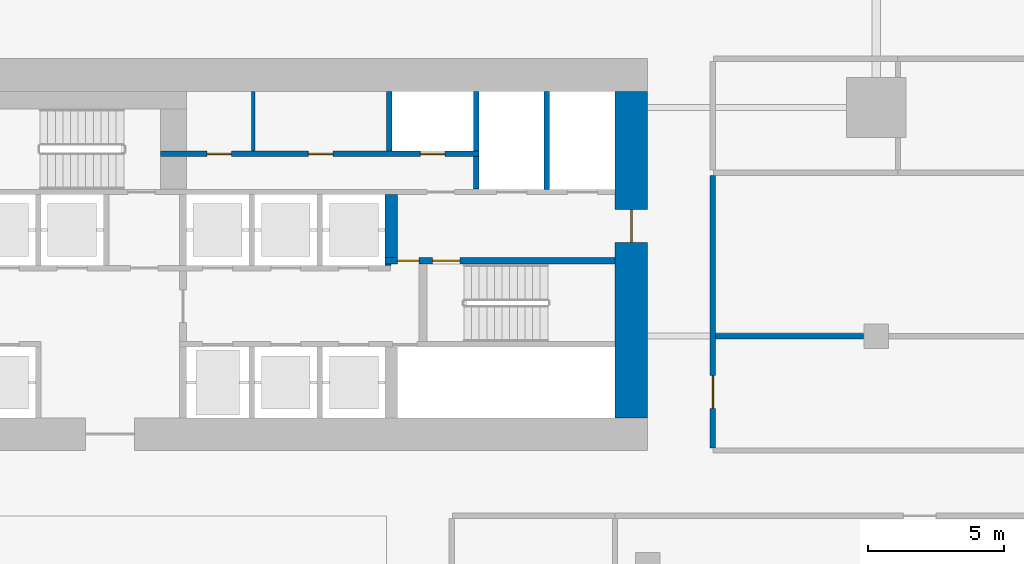
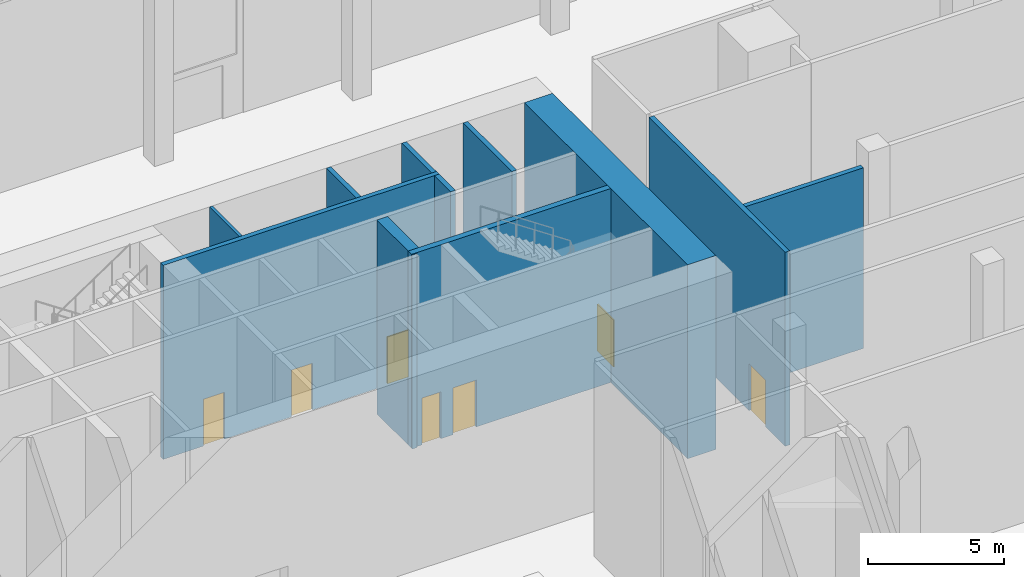
# One storey, part 26 of 43: 12 walls, 7 doors, 7 openings.
"""IFC4 building model written with IfcOpenShell, lengths in metres."""

from ifc_helpers import new_model, si_unit, direction, frame, frame_2d, origin, place, context, subcontext, project, spatial, rectangle, extrude, material, layer, layer_set, type_object, element, fill, save


model = new_model("IFC4")

# Units and contexts
model_context = context("Model", 3, precision=1e-05, world=origin(), true_north=direction((0.0, 1.0)))
body_context = subcontext(model_context, "Body", "Model", "MODEL_VIEW")
ifc_project = project(units=[si_unit("LENGTHUNIT", "METRE"), si_unit("AREAUNIT", "SQUARE_METRE"), si_unit("VOLUMEUNIT", "CUBIC_METRE"), si_unit("PLANEANGLEUNIT", "RADIAN"), si_unit("MASSUNIT", "GRAM", prefix="KILO")], contexts=[model_context])

# Site, building, storey
site_placement = place(None, origin())
site = spatial("IfcSite", under=ifc_project, at=site_placement, CompositionType="ELEMENT")
building_placement = place(site_placement, origin())
building = spatial("IfcBuilding", under=site, at=building_placement, Name="Saffron Gate Tower", CompositionType="ELEMENT")
storey_placement = place(building_placement, origin())
storey = spatial("IfcBuildingStorey", under=building, at=storey_placement, Name="L00", CompositionType="ELEMENT", Elevation=0.0)

# Wall, opening, door
ifc_material_1 = material(Name="Concrete C70", Category="concrete")
ifc_layer_1 = layer(ifc_material_1, 1.199951171875)
ifc_layer_set_1 = layer_set([ifc_layer_1], Name="CW1 RC core wall 1200 C70")
wall_type_1 = type_object("IfcWallType", Name="CW1 RC core wall 1200 C70", PredefinedType="SOLIDWALL", material=ifc_layer_set_1)
wall_1_placement = place(storey_placement, frame((108.0, 62.39990234375, 0.0), z_axis=(0.0, 0.0, 1.0), x_axis=(0.0, 1.0, 0.0)))
wall_1 = element("IfcWall", 1, at=wall_1_placement, inside=storey, type_object=wall_type_1, Name="Wall CW1-L00-4", PredefinedType="SOLIDWALL", context=body_context, shape_type="SweptSolid", body=[
    extrude(rectangle(XDim=12.0, YDim=1.199951171875, at=frame_2d((6.0, 0.0))), origin(), (0.0, 0.0, 1.0), 8.699951171875),
])
opening_1_placement = place(wall_1_placement, frame((6.449951171875, 0.0, 0.0)))
opening_1 = element("IfcOpeningElement", 2, at=opening_1_placement, cuts=wall_1, Name="Opening CR-08", PredefinedType="OPENING", context=body_context, shape_type="SweptSolid", body=[
    extrude(rectangle(XDim=1.199951171875, YDim=2.10009765625, at=frame_2d((0.60009765625, 1.050048828125))), frame((0.0, 0.60986328125, 0.0), z_axis=(0.0, -1.0, 0.0), x_axis=(1.0, 0.0, 0.0)), (0.0, 0.0, 1.0), 1.219970703125),
])
ifc_material_2 = material(Name="Steel fire door set", Category="steel")
door_type_1 = type_object("IfcDoorType", Name="CD7 Core entrance door 1200x2100 EI 120", OperationType="NOTDEFINED", PredefinedType="DOOR", material=ifc_material_2)
door_1_placement = place(opening_1_placement, origin())
door_1 = element("IfcDoor", 3, at=door_1_placement, inside=storey, type_object=door_type_1, Name="DOOR CR-08", OperationType="SINGLE_SWING_RIGHT", OverallHeight=2.10009765625, OverallWidth=1.199951171875, PredefinedType="DOOR", context=body_context, shape_type="SweptSolid", body=[
    extrude(rectangle(XDim=1.199951171875, YDim=2.10009765625, at=frame_2d((0.60009765625, 1.050048828125))), frame((0.0, 0.02490234375, 0.0), z_axis=(0.0, -1.0, 0.0), x_axis=(1.0, 0.0, 0.0)), (0.0, 0.0, 1.0), 0.050048828125),
])
fill(opening_1, door_1)

# Wall, openings, doors
ifc_layer_2 = layer(ifc_material_1, 0.25)
ifc_layer_set_2 = layer_set([ifc_layer_2], Name="CW2 RC core wall 250 C70")
wall_type_2 = type_object("IfcWallType", Name="CW2 RC core wall 250 C70", PredefinedType="SOLIDWALL", material=ifc_layer_set_2)
wall_2_placement = place(storey_placement, frame((98.949951171875, 68.175048828125, 0.0), z_axis=(0.0, 0.0, 1.0), x_axis=(1.0, 0.0, 0.0)))
wall_2 = element("IfcWall", 4, at=wall_2_placement, inside=storey, type_object=wall_type_2, Name="Wall CW2-L00-31", PredefinedType="SOLIDWALL", context=body_context, shape_type="SweptSolid", body=[
    extrude(rectangle(XDim=8.449951171875, YDim=0.25, at=frame_2d((4.22509765625, 0.0))), origin(), (0.0, 0.0, 1.0), 8.699951171875),
])
opening_2_placement = place(wall_2_placement, frame((0.449951171875, 0.0, 0.0)))
opening_2 = element("IfcOpeningElement", 5, at=opening_2_placement, cuts=wall_2, Name="Opening CR-05", PredefinedType="OPENING", context=body_context, shape_type="SweptSolid", body=[
    extrude(rectangle(XDim=0.800048828125, YDim=2.10009765625, at=frame_2d((0.39990234375, 1.050048828125))), frame((0.0, 0.135009765625, 0.0), z_axis=(0.0, -1.0, 0.0), x_axis=(1.0, 0.0, 0.0)), (0.0, 0.0, 1.0), 0.27001953125),
])
opening_3_placement = place(wall_2_placement, frame((1.75, 0.0, 0.0)))
opening_3 = element("IfcOpeningElement", 6, at=opening_3_placement, cuts=wall_2, Name="Opening CR-16", PredefinedType="OPENING", context=body_context, shape_type="SweptSolid", body=[
    extrude(rectangle(XDim=1.0, YDim=2.10009765625, at=frame_2d((0.5, 1.050048828125))), frame((0.0, 0.135009765625, 0.0), z_axis=(0.0, -1.0, 0.0), x_axis=(1.0, 0.0, 0.0)), (0.0, 0.0, 1.0), 0.27001953125),
])
door_type_2 = type_object("IfcDoorType", Name="CD5 Stair door 1000x2100 EI 120", OperationType="NOTDEFINED", PredefinedType="DOOR", material=ifc_material_2)
door_2_placement = place(opening_3_placement, origin())
door_2 = element("IfcDoor", 7, at=door_2_placement, inside=storey, type_object=door_type_2, Name="DOOR CR-16", OperationType="SINGLE_SWING_RIGHT", OverallHeight=2.10009765625, OverallWidth=1.0, PredefinedType="DOOR", context=body_context, shape_type="SweptSolid", body=[
    extrude(rectangle(XDim=1.0, YDim=2.10009765625, at=frame_2d((0.5, 1.050048828125))), frame((0.0, 0.02490234375, 0.0), z_axis=(0.0, -1.0, 0.0), x_axis=(1.0, 0.0, 0.0)), (0.0, 0.0, 1.0), 0.050048828125),
])
fill(opening_3, door_2)
door_type_3 = type_object("IfcDoorType", Name="CD6 Lobby door 800x2100 EI 120", OperationType="NOTDEFINED", PredefinedType="DOOR", material=ifc_material_2)
door_3_placement = place(opening_2_placement, origin())
door_3 = element("IfcDoor", 8, at=door_3_placement, inside=storey, type_object=door_type_3, Name="DOOR CR-05", OperationType="SINGLE_SWING_LEFT", OverallHeight=2.10009765625, OverallWidth=0.800048828125, PredefinedType="DOOR", context=body_context, shape_type="SweptSolid", body=[
    extrude(rectangle(XDim=0.800048828125, YDim=2.10009765625, at=frame_2d((0.39990234375, 1.050048828125))), frame((0.0, 0.02490234375, 0.0), z_axis=(0.0, -1.0, 0.0), x_axis=(1.0, 0.0, 0.0)), (0.0, 0.0, 1.0), 0.050048828125),
])
fill(opening_2, door_3)

# Walls
ifc_layer_3 = layer(ifc_material_1, 0.199951171875)
ifc_layer_set_3 = layer_set([ifc_layer_3], Name="CW3 RC core wall 200 C70")
wall_type_3 = type_object("IfcWallType", Name="CW3 RC core wall 200 C70", PredefinedType="SOLIDWALL", material=ifc_layer_set_3)
wall_3_placement = place(storey_placement, frame((102.300048828125, 70.800048828125, 0.0), z_axis=(0.0, 0.0, 1.0), x_axis=(0.0, 1.0, 0.0)))
element("IfcWall", 9, at=wall_3_placement, inside=storey, type_object=wall_type_3, Name="Wall CW3-L00-39", PredefinedType="SOLIDWALL", context=body_context, shape_type="SweptSolid", body=[
    extrude(rectangle(XDim=1.199951171875, YDim=0.199951171875, at=frame_2d((0.60009765625, 0.0))), origin(), (0.0, 0.0, 1.0), 8.699951171875),
])
wall_4_placement = place(storey_placement, frame((104.89990234375, 70.800048828125, 0.0), z_axis=(0.0, 0.0, 1.0), x_axis=(0.0, 1.0, 0.0)))
element("IfcWall", 10, at=wall_4_placement, inside=storey, type_object=wall_type_3, Name="Wall CW3-L00-40", PredefinedType="SOLIDWALL", context=body_context, shape_type="SweptSolid", body=[
    extrude(rectangle(XDim=3.599853515625, YDim=0.199951171875, at=frame_2d((1.7998046875, 0.0))), origin(), (0.0, 0.0, 1.0), 8.699951171875),
])

# Wall, openings, doors
wall_5_placement = place(storey_placement, frame((90.699951171875, 72.10009765625, 0.0), z_axis=(0.0, 0.0, 1.0), x_axis=(1.0, 0.0, 0.0)))
wall_5 = element("IfcWall", 11, at=wall_5_placement, inside=storey, type_object=wall_type_3, Name="Wall CW3-L00-42", PredefinedType="SOLIDWALL", context=body_context, shape_type="SweptSolid", body=[
    extrude(rectangle(XDim=11.699951171875, YDim=0.199951171875, at=frame_2d((5.85009765625, 0.0))), origin(), (0.0, 0.0, 1.0), 8.699951171875),
])
opening_4_placement = place(wall_5_placement, frame((1.699951171875, 0.0, 0.0)))
opening_4 = element("IfcOpeningElement", 12, at=opening_4_placement, cuts=wall_5, Name="Opening CR-50", PredefinedType="OPENING", context=body_context, shape_type="SweptSolid", body=[
    extrude(rectangle(XDim=0.89990234375, YDim=2.10009765625, at=frame_2d((0.449951171875, 1.050048828125))), frame((0.0, 0.10986328125, 0.0), z_axis=(0.0, -1.0, 0.0), x_axis=(1.0, 0.0, 0.0)), (0.0, 0.0, 1.0), 0.219970703125),
])
opening_5_placement = place(wall_5_placement, frame((5.43505859375, 0.0, 0.0)))
opening_5 = element("IfcOpeningElement", 13, at=opening_5_placement, cuts=wall_5, Name="Opening CR-53", PredefinedType="OPENING", context=body_context, shape_type="SweptSolid", body=[
    extrude(rectangle(XDim=0.89990234375, YDim=2.10009765625, at=frame_2d((0.449951171875, 1.050048828125))), frame((0.0, 0.10986328125, 0.0), z_axis=(0.0, -1.0, 0.0), x_axis=(1.0, 0.0, 0.0)), (0.0, 0.0, 1.0), 0.219970703125),
])
opening_6_placement = place(wall_5_placement, frame((9.550048828125, 0.0, 0.0)))
opening_6 = element("IfcOpeningElement", 14, at=opening_6_placement, cuts=wall_5, Name="Opening CR-70", PredefinedType="OPENING", context=body_context, shape_type="SweptSolid", body=[
    extrude(rectangle(XDim=0.89990234375, YDim=2.10009765625, at=frame_2d((0.449951171875, 1.050048828125))), frame((0.0, 0.10986328125, 0.0), z_axis=(0.0, -1.0, 0.0), x_axis=(1.0, 0.0, 0.0)), (0.0, 0.0, 1.0), 0.219970703125),
])
door_type_4 = type_object("IfcDoorType", Name="CD2 Riser door 900x2100 EI 60", OperationType="NOTDEFINED", PredefinedType="DOOR", material=ifc_material_2)
door_4_placement = place(opening_6_placement, origin())
door_4 = element("IfcDoor", 15, at=door_4_placement, inside=storey, type_object=door_type_4, Name="DOOR CR-70", OperationType="SINGLE_SWING_LEFT", OverallHeight=2.10009765625, OverallWidth=0.89990234375, PredefinedType="DOOR", context=body_context, shape_type="SweptSolid", body=[
    extrude(rectangle(XDim=0.89990234375, YDim=2.10009765625, at=frame_2d((0.449951171875, 1.050048828125))), frame((0.0, 0.02490234375, 0.0), z_axis=(0.0, -1.0, 0.0), x_axis=(1.0, 0.0, 0.0)), (0.0, 0.0, 1.0), 0.050048828125),
])
fill(opening_6, door_4)
door_type_5 = type_object("IfcDoorType", Name="CD9 Room door 900x2100 EI 60", OperationType="NOTDEFINED", PredefinedType="DOOR", material=ifc_material_2)
door_5_placement = place(opening_4_placement, origin())
door_5 = element("IfcDoor", 16, at=door_5_placement, inside=storey, type_object=door_type_5, Name="DOOR CR-50", OperationType="SINGLE_SWING_LEFT", OverallHeight=2.10009765625, OverallWidth=0.89990234375, PredefinedType="DOOR", context=body_context, shape_type="SweptSolid", body=[
    extrude(rectangle(XDim=0.89990234375, YDim=2.10009765625, at=frame_2d((0.449951171875, 1.050048828125))), frame((0.0, 0.02490234375, 0.0), z_axis=(0.0, -1.0, 0.0), x_axis=(1.0, 0.0, 0.0)), (0.0, 0.0, 1.0), 0.050048828125),
])
fill(opening_4, door_5)
door_6_placement = place(opening_5_placement, origin())
door_6 = element("IfcDoor", 17, at=door_6_placement, inside=storey, type_object=door_type_5, Name="DOOR CR-53", OperationType="SINGLE_SWING_LEFT", OverallHeight=2.10009765625, OverallWidth=0.89990234375, PredefinedType="DOOR", context=body_context, shape_type="SweptSolid", body=[
    extrude(rectangle(XDim=0.89990234375, YDim=2.10009765625, at=frame_2d((0.449951171875, 1.050048828125))), frame((0.0, 0.02490234375, 0.0), z_axis=(0.0, -1.0, 0.0), x_axis=(1.0, 0.0, 0.0)), (0.0, 0.0, 1.0), 0.050048828125),
])
fill(opening_5, door_6)

# Walls
for number, where, z_axis, x_axis, name in (
    (18, (99.10009765625, 72.199951171875, 0.0), (0.0, 0.0, 1.0), (0.0, 1.0, 0.0), "Wall CW3-L00-49"),
    (19, (102.300048828125, 72.199951171875, 0.0), (0.0, 0.0, 1.0), (0.0, 1.0, 0.0), "Wall CW3-L00-50"),
):
    element("IfcWall", number, at=place(storey_placement, frame(where, z_axis=z_axis, x_axis=x_axis)), inside=storey, type_object=wall_type_3, Name=name, PredefinedType="SOLIDWALL", context=body_context, shape_type="SweptSolid", body=[
        extrude(rectangle(XDim=2.199951171875, YDim=0.199951171875, at=frame_2d((1.10009765625, 0.0))), origin(), (0.0, 0.0, 1.0), 8.699951171875),
    ])
ifc_layer_4 = layer(ifc_material_1, 0.449951171875)
ifc_layer_set_4 = layer_set([ifc_layer_4], Name="CW4 RC core wall 450 C70")
wall_type_4 = type_object("IfcWallType", Name="CW4 RC core wall 450 C70", PredefinedType="SOLIDWALL", material=ifc_layer_set_4)
wall_6_placement = place(storey_placement, frame((99.175048828125, 68.300048828125, 0.0), z_axis=(0.0, 0.0, 1.0), x_axis=(0.0, 1.0, 0.0)))
element("IfcWall", 20, at=wall_6_placement, inside=storey, type_object=wall_type_4, Name="Wall CW4-L00-33", PredefinedType="SOLIDWALL", context=body_context, shape_type="SweptSolid", body=[
    extrude(rectangle(XDim=2.300048828125, YDim=0.449951171875, at=frame_2d((1.14990234375, 0.0))), origin(), (0.0, 0.0, 1.0), 8.699951171875),
])
ifc_layer_5 = layer(ifc_material_1, 0.050048828125)
ifc_layer_set_5 = layer_set([ifc_layer_5], Name="CW6 RC core wall 50 C70")
wall_type_5 = type_object("IfcWallType", Name="CW6 RC core wall 50 C70", PredefinedType="SOLIDWALL", material=ifc_layer_set_5)
wall_7_placement = place(storey_placement, frame((98.949951171875, 68.02490234375, 0.0), z_axis=(0.0, 0.0, 1.0), x_axis=(1.0, 0.0, 0.0)))
element("IfcWall", 21, at=wall_7_placement, inside=storey, type_object=wall_type_5, Name="Wall CW6-L00-29", PredefinedType="SOLIDWALL", context=body_context, shape_type="SweptSolid", body=[
    extrude(rectangle(XDim=0.199951171875, YDim=0.050048828125, at=frame_2d((0.10009765625, 0.0))), origin(), (0.0, 0.0, 1.0), 8.699951171875),
])
ifc_material_3 = material(Name="Gypsum board partition on steel studs", Category="steel")
ifc_layer_6 = layer(ifc_material_3, 0.1201171875)
ifc_layer_set_6 = layer_set([ifc_layer_6], Name="CW8 Core partition 120")
wall_type_6 = type_object("IfcWallType", Name="CW8 Core partition 120", PredefinedType="PARTITIONING", material=ifc_layer_set_6)
wall_8_placement = place(storey_placement, frame((94.110107421875, 72.199951171875, 0.0), z_axis=(0.0, 0.0, 1.0), x_axis=(0.0, 1.0, 0.0)))
element("IfcWall", 22, at=wall_8_placement, inside=storey, type_object=wall_type_6, Name="Wall CW8-L00-48", PredefinedType="PARTITIONING", context=body_context, shape_type="SweptSolid", body=[
    extrude(rectangle(XDim=2.199951171875, YDim=0.1201171875, at=frame_2d((1.10009765625, 0.0))), origin(), (0.0, 0.0, 1.0), 8.699951171875),
])

# Wall, opening, door
ifc_material_4 = material(Name="Clay brick masonry, rendered", Category="masonry")
ifc_layer_7 = layer(ifc_material_4, 0.199951171875)
ifc_layer_set_7 = layer_set([ifc_layer_7], Name="PW3 Corridor wall 200")
wall_type_7 = type_object("IfcWallType", Name="PW3 Corridor wall 200", PredefinedType="PARTITIONING", material=ifc_layer_set_7)
wall_9_placement = place(storey_placement, frame((111.0, 71.300048828125, 0.0), z_axis=(0.0, 0.0, 1.0), x_axis=(0.0, -1.0, 0.0)))
wall_9 = element("IfcWall", 23, at=wall_9_placement, inside=storey, type_object=wall_type_7, Name="Wall P0-53", PredefinedType="PARTITIONING", context=body_context, shape_type="SweptSolid", body=[
    extrude(rectangle(XDim=10.0, YDim=0.199951171875, at=frame_2d((5.0, 0.0))), origin(), (0.0, 0.0, 1.0), 8.699951171875),
])
opening_7_placement = place(wall_9_placement, frame((7.35009765625, 0.0, 0.0)))
opening_7 = element("IfcOpeningElement", 24, at=opening_7_placement, cuts=wall_9, Name="Opening P0-13", PredefinedType="OPENING", context=body_context, shape_type="SweptSolid", body=[
    extrude(rectangle(XDim=1.199951171875, YDim=2.10009765625, at=frame_2d((0.60009765625, 1.050048828125))), frame((0.0, 0.10986328125, 0.0), z_axis=(0.0, -1.0, 0.0), x_axis=(1.0, 0.0, 0.0)), (0.0, 0.0, 1.0), 0.219970703125),
])
ifc_material_5 = material(Name="Timber door set", Category="wood")
door_type_6 = type_object("IfcDoorType", Name="HD1 Hall door 1200x2100", OperationType="NOTDEFINED", PredefinedType="DOOR", material=ifc_material_5)
door_7_placement = place(opening_7_placement, origin())
door_7 = element("IfcDoor", 25, at=door_7_placement, inside=storey, type_object=door_type_6, Name="Door P0-13", OperationType="SINGLE_SWING_LEFT", OverallHeight=2.10009765625, OverallWidth=1.199951171875, PredefinedType="DOOR", context=body_context, shape_type="SweptSolid", body=[
    extrude(rectangle(XDim=1.199951171875, YDim=2.10009765625, at=frame_2d((0.60009765625, 1.050048828125))), frame((0.0, 0.02490234375, 0.0), z_axis=(0.0, -1.0, 0.0), x_axis=(1.0, 0.0, 0.0)), (0.0, 0.0, 1.0), 0.050048828125),
])
fill(opening_7, door_7)

# Wall
ifc_layer_8 = layer(ifc_material_4, 0.199951171875)
ifc_layer_set_8 = layer_set([ifc_layer_8], Name="PW5 Room wall 200")
wall_type_8 = type_object("IfcWallType", Name="PW5 Room wall 200", PredefinedType="PARTITIONING", material=ifc_layer_set_8)
wall_10_placement = place(storey_placement, frame((111.10009765625, 65.39990234375, 0.0), z_axis=(0.0, 0.0, 1.0), x_axis=(1.0, 0.0, 0.0)))
element("IfcWall", 26, at=wall_10_placement, inside=storey, type_object=wall_type_8, Name="Wall P0-20", PredefinedType="PARTITIONING", context=body_context, shape_type="SweptSolid", body=[
    extrude(rectangle(XDim=5.429931640625, YDim=0.199951171875, at=frame_2d((2.71484375, 0.0))), origin(), (0.0, 0.0, 1.0), 8.10009765625),
])

save(model, "model.ifc")
